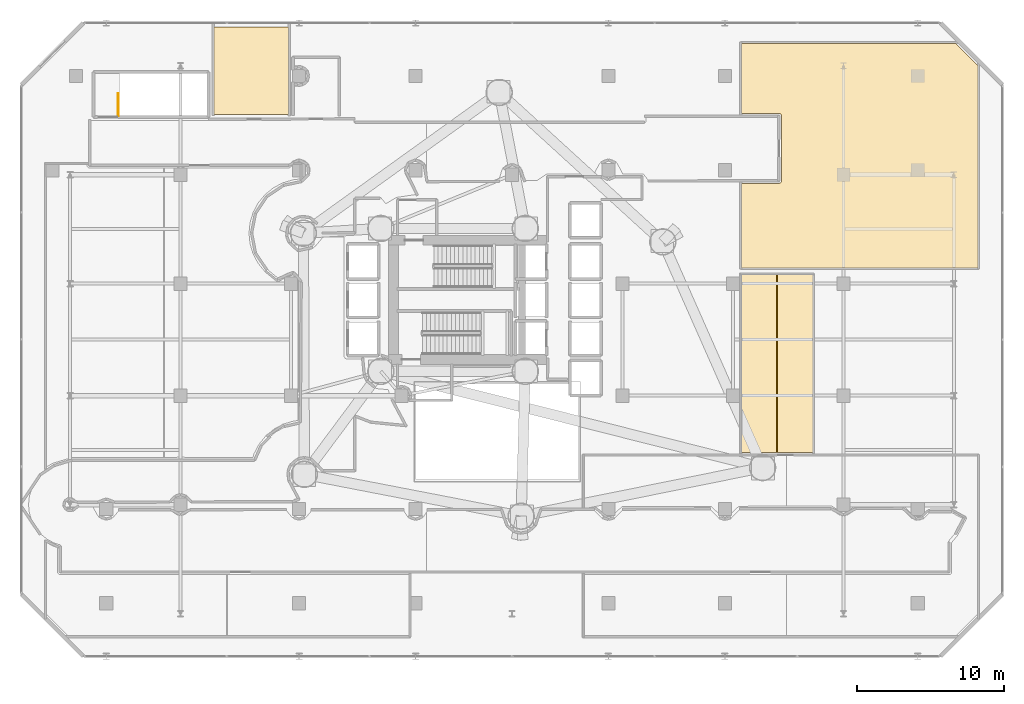
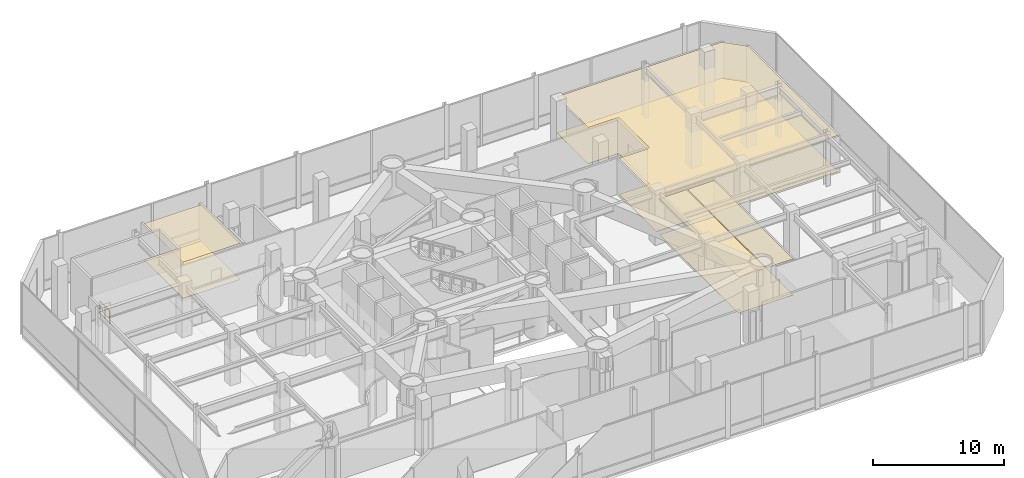
# One storey, part 40 of 40: 7 coverings, 1 railing.
"""IFC4 building model written with IfcOpenShell, lengths in metres."""

from ifc_helpers import new_model, si_unit, direction, frame, origin, origin_2d, place, context, subcontext, project, spatial, polyline, rectangle, outline, extrude, material, layer, layer_set, type_object, element, save


model = new_model("IFC4")

# Units and contexts
model_context = context("Model", 3, precision=1e-05, world=origin(), true_north=direction((0.0, 1.0)))
body_context = subcontext(model_context, "Body", "Model", "MODEL_VIEW")
ifc_project = project(units=[si_unit("LENGTHUNIT", "METRE"), si_unit("AREAUNIT", "SQUARE_METRE"), si_unit("VOLUMEUNIT", "CUBIC_METRE"), si_unit("PLANEANGLEUNIT", "RADIAN"), si_unit("MASSUNIT", "GRAM", prefix="KILO")], contexts=[model_context])

# Site, building, storey
site_placement = place(None, origin())
site = spatial("IfcSite", under=ifc_project, at=site_placement, CompositionType="ELEMENT")
building_placement = place(site_placement, origin())
building = spatial("IfcBuilding", under=site, at=building_placement, Name="Qianvela Tower", CompositionType="ELEMENT")
storey_placement = place(building_placement, frame((0.0, 0.0, 20.60009765625)))
storey = spatial("IfcBuildingStorey", under=building, at=storey_placement, Name="L04", CompositionType="ELEMENT", Elevation=20.60009765625)

# Coverings
ifc_material_1 = material(Name="Perforated Mineral Acoustic Ceiling Tile")
ifc_layer_1 = layer(ifc_material_1, 0.02490234375)
ifc_layer_set_1 = layer_set([ifc_layer_1], Name="Perforated Mineral Acoustic Ceiling Tile")
covering_type_1 = type_object("IfcCoveringType", Name="COV-CEIL-ACOUSTIC-25", PredefinedType="CEILING", material=ifc_layer_set_1)
covering_1_placement = place(storey_placement, frame((0.0, 0.0, 3.375)))
element("IfcCovering", 1, at=covering_1_placement, inside=storey, type_object=covering_type_1, Name="L04 Acoustic Ceiling Bay 1 L04 Central Student Laundry", PredefinedType="CEILING", context=body_context, shape_type="SweptSolid", body=[
    extrude(outline(polyline([(53.080078125, 18.342041015625), (53.080078125, 30.419921875), (55.4599609375, 30.419921875), (55.4599609375, 18.342041015625), (53.080078125, 18.342041015625)])), origin(), (0.0, 0.0, 1.0), 0.02490234375),
])
covering_2_placement = place(storey_placement, frame((0.0, 0.0, 3.375)))
element("IfcCovering", 2, at=covering_2_placement, inside=storey, type_object=covering_type_1, Name="L04 Acoustic Ceiling Bay 2 L04 Central Student Laundry", PredefinedType="CEILING", context=body_context, shape_type="SweptSolid", body=[
    extrude(outline(polyline([(55.5400390625, 18.342041015625), (55.5400390625, 30.419921875), (57.919921875, 30.419921875), (57.919921875, 18.342041015625), (55.5400390625, 18.342041015625)])), origin(), (0.0, 0.0, 1.0), 0.02490234375),
])
covering_3_placement = place(storey_placement, frame((0.0, 0.0, 3.375)))
element("IfcCovering", 3, at=covering_3_placement, inside=storey, type_object=covering_type_1, Name="L04 Acoustic Ceiling L04 Podium Transfer AHU Plant Room", PredefinedType="CEILING", context=body_context, shape_type="SweptSolid", body=[
    extrude(outline(polyline([(53.080078125, 36.610107421875), (55.650390625, 36.616455078125), (55.658203125, 36.61669921875), (55.666015625, 36.617919921875), (55.673583984375, 36.619873046875), (55.680908203125, 36.62255859375), (55.68798828125, 36.6259765625), (55.694580078125, 36.6298828125), (55.700927734375, 36.634521484375), (55.706787109375, 36.639892578125), (55.7685546875, 36.701904296875), (55.77392578125, 36.707763671875), (55.778564453125, 36.714111328125), (55.78271484375, 36.720703125), (55.785888671875, 36.727783203125), (55.78857421875, 36.7353515625), (55.79052734375, 36.742919921875), (55.79150390625, 36.750732421875), (55.7919921875, 36.758544921875), (55.781494140625, 41.234619140625), (55.781005859375, 41.242431640625), (55.780029296875, 41.250244140625), (55.778076171875, 41.2578125), (55.775390625, 41.26513671875), (55.772216796875, 41.272216796875), (55.76806640625, 41.279052734375), (55.76318359375, 41.28515625), (55.758056640625, 41.291015625), (55.752197265625, 41.29638671875), (55.74609375, 41.301025390625), (55.7392578125, 41.304931640625), (55.687744140625, 41.33251953125), (55.6806640625, 41.3359375), (55.673095703125, 41.338623046875), (55.66552734375, 41.340576171875), (55.65771484375, 41.341552734375), (55.64990234375, 41.342041015625), (53.080078125, 41.342041015625), (53.080078125, 46.1201171875), (67.6123046875, 46.1201171875), (69.1201171875, 44.6123046875), (69.1201171875, 30.8798828125), (53.080078125, 30.8798828125), (53.080078125, 36.610107421875)])), origin(), (0.0, 0.0, 1.0), 0.02490234375),
])
covering_4_placement = place(storey_placement, frame((0.0, 0.0, 3.375)))
element("IfcCovering", 4, at=covering_4_placement, inside=storey, type_object=covering_type_1, Name="L04 Acoustic Ceiling L04 Public Washrooms", PredefinedType="CEILING", context=body_context, shape_type="SweptSolid", body=[
    extrude(outline(polyline([(17.280029296875, 47.239990234375), (22.320068359375, 47.239990234375), (22.320068359375, 41.280029296875), (17.280029296875, 41.280029296875), (17.280029296875, 47.239990234375)])), origin(), (0.0, 0.0, 1.0), 0.02490234375),
])
ifc_material_2 = material(Name="Engineered Acoustic Oak Timber Flooring", Category="wood")
ifc_layer_2 = layer(ifc_material_2, 0.02001953125)
ifc_layer_set_2 = layer_set([ifc_layer_2], Name="Engineered Acoustic Oak Timber Flooring")
covering_type_2 = type_object("IfcCoveringType", Name="COV-FLOOR-OAK-20", PredefinedType="FLOORING", material=ifc_layer_set_2)
covering_5_placement = place(storey_placement, origin())
element("IfcCovering", 5, at=covering_5_placement, inside=storey, type_object=covering_type_2, Name="L04 Finish Flooring L04 Central Student Laundry", PredefinedType="FLOORING", context=body_context, shape_type="SweptSolid", body=[
    extrude(outline(polyline([(57.919921875, 18.342041015625), (53.080078125, 18.342041015625), (53.080078125, 30.419921875), (57.919921875, 30.419921875), (57.919921875, 18.342041015625)])), origin(), (0.0, 0.0, 1.0), 0.02001953125),
])
covering_6_placement = place(storey_placement, origin())
element("IfcCovering", 6, at=covering_6_placement, inside=storey, type_object=covering_type_2, Name="L04 Finish Flooring L04 Public Washrooms", PredefinedType="FLOORING", context=body_context, shape_type="SweptSolid", body=[
    extrude(outline(polyline([(17.280029296875, 47.239990234375), (22.320068359375, 47.239990234375), (22.320068359375, 41.280029296875), (17.280029296875, 41.280029296875), (17.280029296875, 47.239990234375)])), origin(), (0.0, 0.0, 1.0), 0.02001953125),
])
ifc_material_3 = material(Name="Honed Stone Terrazzo Flooring", Category="masonry")
ifc_layer_3 = layer(ifc_material_3, 0.030029296875)
ifc_layer_set_3 = layer_set([ifc_layer_3], Name="Honed Stone Terrazzo Flooring")
covering_type_3 = type_object("IfcCoveringType", Name="COV-FLOOR-TERRAZZO-30", PredefinedType="FLOORING", material=ifc_layer_set_3)
covering_7_placement = place(storey_placement, origin())
element("IfcCovering", 7, at=covering_7_placement, inside=storey, type_object=covering_type_3, Name="L04 Finish Flooring L04 Podium Transfer AHU Plant Room", PredefinedType="FLOORING", context=body_context, shape_type="SweptSolid", body=[
    extrude(outline(polyline([(53.080078125, 36.610107421875), (55.650390625, 36.616455078125), (55.658203125, 36.61669921875), (55.666015625, 36.617919921875), (55.673583984375, 36.619873046875), (55.680908203125, 36.62255859375), (55.68798828125, 36.6259765625), (55.694580078125, 36.6298828125), (55.700927734375, 36.634521484375), (55.706787109375, 36.639892578125), (55.7685546875, 36.701904296875), (55.77392578125, 36.707763671875), (55.778564453125, 36.714111328125), (55.78271484375, 36.720703125), (55.785888671875, 36.727783203125), (55.78857421875, 36.7353515625), (55.79052734375, 36.742919921875), (55.79150390625, 36.750732421875), (55.7919921875, 36.758544921875), (55.781494140625, 41.234619140625), (55.781005859375, 41.242431640625), (55.780029296875, 41.250244140625), (55.778076171875, 41.2578125), (55.775390625, 41.26513671875), (55.772216796875, 41.272216796875), (55.76806640625, 41.279052734375), (55.76318359375, 41.28515625), (55.758056640625, 41.291015625), (55.752197265625, 41.29638671875), (55.74609375, 41.301025390625), (55.7392578125, 41.304931640625), (55.687744140625, 41.33251953125), (55.6806640625, 41.3359375), (55.673095703125, 41.338623046875), (55.66552734375, 41.340576171875), (55.65771484375, 41.341552734375), (55.64990234375, 41.342041015625), (53.080078125, 41.342041015625), (53.080078125, 46.1201171875), (67.6123046875, 46.1201171875), (69.1201171875, 44.6123046875), (69.1201171875, 30.8798828125), (53.080078125, 30.8798828125), (53.080078125, 36.610107421875)])), origin(), (0.0, 0.0, 1.0), 0.02978515625),
])

# Railing
ifc_material_4 = material(Name="Painted Tubular Steel Q355B", Category="steel")
railing_type = type_object("IfcRailingType", Name="RL-STAIR-GUARD-1200", PredefinedType="GUARDRAIL", material=ifc_material_4)
railing_placement = place(storey_placement, frame((10.77001953125, 41.199951171875, 0.0)))
element("IfcRailing", 8, at=railing_placement, inside=storey, type_object=railing_type, Name="L04 ST-3 top well guard 1", PredefinedType="GUARDRAIL", context=body_context, shape_type="SweptSolid", body=[
    extrude(rectangle(XDim=0.050048828125, YDim=0.0400390625, at=origin_2d()), frame((0.0, 0.0, 1.179931640625), z_axis=(0.0, 1.0, 0.0), x_axis=(-1.0, 0.0, 0.0)), (0.0, 0.0, 1.0), 1.510009765625),
    extrude(rectangle(XDim=0.050048828125, YDim=0.050048828125, at=origin_2d()), origin(), (0.0, 0.0, 1.0), 1.159912109375),
    extrude(rectangle(XDim=0.050048828125, YDim=0.050048828125, at=origin_2d()), frame((0.0, 0.7548828125, 0.0)), (0.0, 0.0, 1.0), 1.159912109375),
    extrude(rectangle(XDim=0.050048828125, YDim=0.050048828125, at=origin_2d()), frame((0.0, 1.510009765625, 0.0)), (0.0, 0.0, 1.0), 1.159912109375),
])

save(model, "model.ifc")
